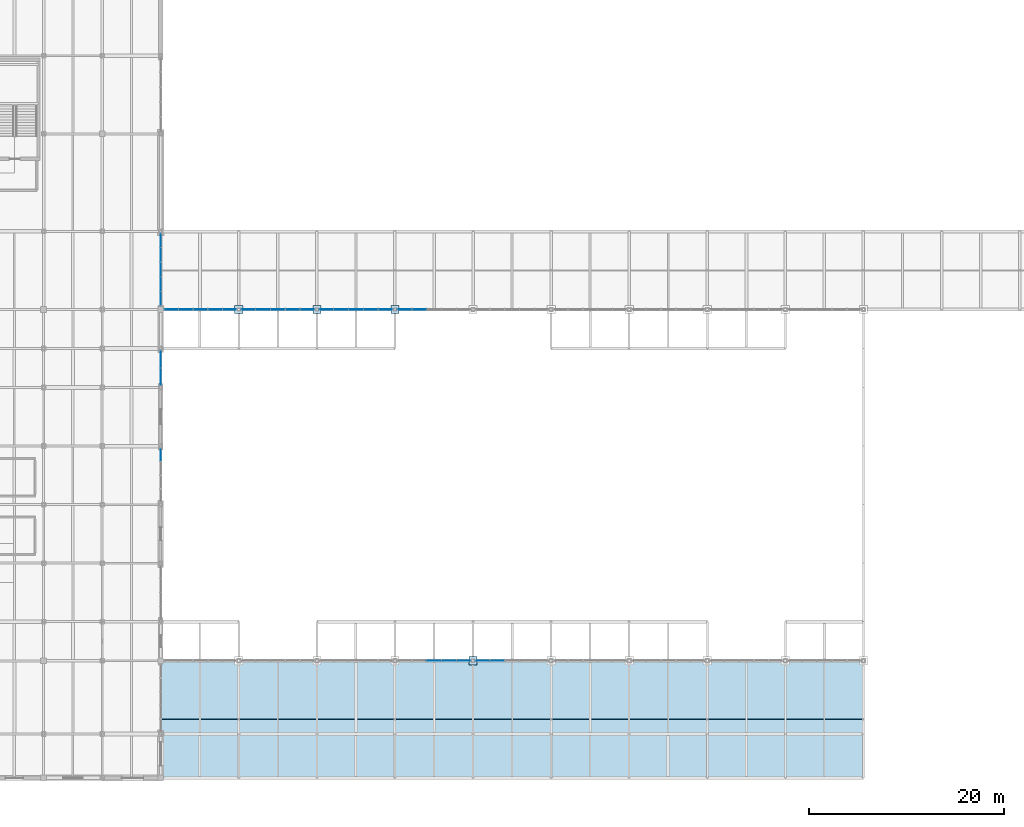
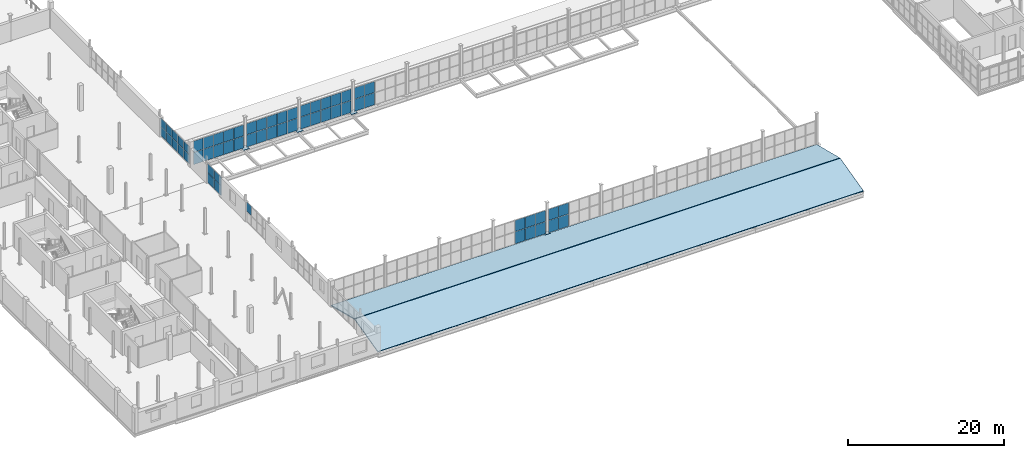
# One storey, part 75 of 96: 63 plates, 2 slabs, 9 elements without a shape of their own.
"""IFC4 building model written with IfcOpenShell, lengths in metres."""

from ifc_helpers import new_model, si_unit, direction, frame, origin, origin_2d, place, context, subcontext, project, spatial, polyline, rectangle, outline, extrude, material, layer, layer_set, type_object, element, aggregate, save


model = new_model("IFC4")

# Units and contexts
model_context = context("Model", 3, precision=1e-05, world=origin(), true_north=direction((0.0, 1.0)))
body_context = subcontext(model_context, "Body", "Model", "MODEL_VIEW")
ifc_project = project(units=[si_unit("LENGTHUNIT", "METRE"), si_unit("AREAUNIT", "SQUARE_METRE"), si_unit("VOLUMEUNIT", "CUBIC_METRE"), si_unit("PLANEANGLEUNIT", "RADIAN"), si_unit("MASSUNIT", "GRAM", prefix="KILO")], contexts=[model_context])

# Site, building, storey
site_placement = place(None, origin())
site = spatial("IfcSite", under=ifc_project, at=site_placement, CompositionType="ELEMENT")
building_placement = place(site_placement, origin())
building = spatial("IfcBuilding", under=site, at=building_placement, Name="Verrall Gate Interchange", CompositionType="ELEMENT")
storey_placement = place(building_placement, frame((0.0, 0.0, 11.39990234375)))
storey = spatial("IfcBuildingStorey", under=building, at=storey_placement, Name="L03", CompositionType="ELEMENT", Elevation=11.39990234375)

# Plates
ifc_material_1 = material(Name="Structural Steel CSA G40.21 350WT Cat 4", Category="steel")
ifc_layer_1 = layer(ifc_material_1, 0.050048828125)
ifc_layer_set_1 = layer_set([ifc_layer_1], Name="Structural Steel CSA G40.21 350WT Cat 4")
plate_type_1 = type_object("IfcPlateType", Name="BP-02 Base Plate 50", PredefinedType="USERDEFINED", material=ifc_layer_set_1)
for number, where, z_axis, x_axis, name in (
    (1, (44.0, 48.0, 0.0), (0.0, 0.0, 1.0), (1.0, 0.0, 0.0), "Concourse Column Base Plate 1512"),
    (2, (52.0, 48.0, 0.0), (0.0, 0.0, 1.0), (1.0, 0.0, 0.0), "Concourse Column Base Plate 1514"),
    (3, (60.0, 48.0, 0.0), (0.0, 0.0, 1.0), (1.0, 0.0, 0.0), "Concourse Column Base Plate 1516"),
    (4, (68.0, 12.0, 0.0), (0.0, 0.0, 1.0), (1.0, 0.0, 0.0), "Concourse Column Base Plate 1517"),
):
    element("IfcPlate", number, at=place(storey_placement, frame(where, z_axis=z_axis, x_axis=x_axis)), inside=storey, type_object=plate_type_1, Name=name, ObjectType="BASE_PLATE", PredefinedType="USERDEFINED", context=body_context, shape_type="SweptSolid", body=[
        extrude(rectangle(XDim=0.85009765625, YDim=0.85009765625, at=origin_2d()), origin(), (0.0, 0.0, 1.0), 0.050048828125),
    ])

# Curtain wall, plate
ifc_material_2 = material(Name="Thermally Broken Anodized Aluminium Curtain Wall Framing", Category="aluminium")
curtain_wall_type_1 = type_object("IfcCurtainWallType", Name="CW-31 Unitized Curtain Wall 5682x3110", PredefinedType="NOTDEFINED", material=ifc_material_2)
curtain_wall_1_placement = place(storey_placement, origin())
curtain_wall_1 = element("IfcCurtainWall", 5, at=curtain_wall_1_placement, inside=storey, type_object=curtain_wall_type_1, Name="L03 Unitized Curtain Wall CW-L03-105", PredefinedType="NOTDEFINED")
ifc_material_3 = material(Name="Triple-Glazed Low-E Argon Insulated Curtain Panel (U=1.45)", Category="glass")
ifc_layer_2 = layer(ifc_material_3, 0.030029296875)
ifc_layer_set_2 = layer_set([ifc_layer_2], Name="Triple-Glazed Low-E Argon Insulated Curtain Panel (U=1.45)")
plate_type_2 = type_object("IfcPlateType", Name="CP-01 Curtain Glazing Panel 30", PredefinedType="CURTAIN_PANEL", material=ifc_layer_set_2)
plate_1_placement = place(storey_placement, frame((36.0, 33.112060546875, 1.642822265625), z_axis=(0.0, 0.0, 1.0), x_axis=(0.0, 1.0, 0.0)))
plate_1 = element("IfcPlate", 6, at=plate_1_placement, type_object=plate_type_2, Name="CW-L03-105 Glazing Panel 4.2", PredefinedType="CURTAIN_PANEL", context=body_context, shape_type="SweptSolid", body=[
    extrude(rectangle(XDim=1.33203125, YDim=0.030029296875, at=origin_2d()), origin(), (0.0, 0.0, 1.0), 1.404296875),
])
aggregate(curtain_wall_1, [plate_1])

# Curtain wall, plates
ifc_material_4 = material(Name="Thermally Broken Anodized Aluminium Curtain Wall Framing", Category="aluminium")
curtain_wall_type_2 = type_object("IfcCurtainWallType", Name="CW-53 Unitized Curtain Wall 7631x3800", PredefinedType="NOTDEFINED", material=ifc_material_4)
curtain_wall_2_placement = place(storey_placement, origin())
curtain_wall_2 = element("IfcCurtainWall", 7, at=curtain_wall_2_placement, inside=storey, type_object=curtain_wall_type_2, Name="L03 Unitized Curtain Wall CW-L03-CLR-167", PredefinedType="NOTDEFINED")
plate_2_placement = place(storey_placement, frame((64.0, 12.0, 0.06298828125), z_axis=(0.0, 0.0, 1.0), x_axis=(1.0, 0.0, 0.0)))
plate_2 = element("IfcPlate", 8, at=plate_2_placement, type_object=plate_type_2, Name="CW-L03-CLR-167 Glazing Panel 3.1", PredefinedType="CURTAIN_PANEL", context=body_context, shape_type="SweptSolid", body=[
    extrude(rectangle(XDim=1.47509765625, YDim=0.030029296875, at=origin_2d()), origin(), (0.0, 0.0, 1.0), 1.887451171875),
])
plate_3_placement = place(storey_placement, frame((64.0, 12.0, 2.00146484375), z_axis=(0.0, 0.0, 1.0), x_axis=(1.0, 0.0, 0.0)))
plate_3 = element("IfcPlate", 9, at=plate_3_placement, type_object=plate_type_2, Name="CW-L03-CLR-167 Glazing Panel 3.2", PredefinedType="CURTAIN_PANEL", context=body_context, shape_type="SweptSolid", body=[
    extrude(rectangle(XDim=1.47509765625, YDim=0.030029296875, at=origin_2d()), origin(), (0.0, 0.0, 1.0), 1.735595703125),
])
plate_4_placement = place(storey_placement, frame((65.526123046875, 12.0, 0.06298828125), z_axis=(0.0, 0.0, 1.0), x_axis=(1.0, 0.0, 0.0)))
plate_4 = element("IfcPlate", 10, at=plate_4_placement, type_object=plate_type_2, Name="CW-L03-CLR-167 Glazing Panel 4.1", PredefinedType="CURTAIN_PANEL", context=body_context, shape_type="SweptSolid", body=[
    extrude(rectangle(XDim=1.47509765625, YDim=0.030029296875, at=origin_2d()), origin(), (0.0, 0.0, 1.0), 1.887451171875),
])
plate_5_placement = place(storey_placement, frame((65.526123046875, 12.0, 2.00146484375), z_axis=(0.0, 0.0, 1.0), x_axis=(1.0, 0.0, 0.0)))
plate_5 = element("IfcPlate", 11, at=plate_5_placement, type_object=plate_type_2, Name="CW-L03-CLR-167 Glazing Panel 4.2", PredefinedType="CURTAIN_PANEL", context=body_context, shape_type="SweptSolid", body=[
    extrude(rectangle(XDim=1.47509765625, YDim=0.030029296875, at=origin_2d()), origin(), (0.0, 0.0, 1.0), 1.735595703125),
])
plate_6_placement = place(storey_placement, frame((67.03369140625, 12.0, 0.06298828125), z_axis=(0.0, 0.0, 1.0), x_axis=(1.0, 0.0, 0.0)))
plate_6 = element("IfcPlate", 12, at=plate_6_placement, type_object=plate_type_2, Name="CW-L03-CLR-167 Glazing Panel 5.1", PredefinedType="CURTAIN_PANEL", context=body_context, shape_type="SweptSolid", body=[
    extrude(rectangle(XDim=1.437744140625, YDim=0.030029296875, at=origin_2d()), origin(), (0.0, 0.0, 1.0), 1.887451171875),
])
plate_7_placement = place(storey_placement, frame((67.03369140625, 12.0, 2.00146484375), z_axis=(0.0, 0.0, 1.0), x_axis=(1.0, 0.0, 0.0)))
plate_7 = element("IfcPlate", 13, at=plate_7_placement, type_object=plate_type_2, Name="CW-L03-CLR-167 Glazing Panel 5.2", PredefinedType="CURTAIN_PANEL", context=body_context, shape_type="SweptSolid", body=[
    extrude(rectangle(XDim=1.437744140625, YDim=0.030029296875, at=origin_2d()), origin(), (0.0, 0.0, 1.0), 1.735595703125),
])
aggregate(curtain_wall_2, [plate_2, plate_3, plate_4, plate_5, plate_6, plate_7])

curtain_wall_3_placement = place(storey_placement, origin())
curtain_wall_3 = element("IfcCurtainWall", 14, at=curtain_wall_3_placement, inside=storey, type_object=curtain_wall_type_2, Name="L03 Unitized Curtain Wall CW-L03-CLR-168", PredefinedType="NOTDEFINED")
plate_8_placement = place(storey_placement, frame((68.96630859375, 12.0, 0.06298828125), z_axis=(0.0, 0.0, 1.0), x_axis=(1.0, 0.0, 0.0)))
plate_8 = element("IfcPlate", 15, at=plate_8_placement, type_object=plate_type_2, Name="CW-L03-CLR-168 Glazing Panel 1.1", PredefinedType="CURTAIN_PANEL", context=body_context, shape_type="SweptSolid", body=[
    extrude(rectangle(XDim=1.437744140625, YDim=0.030029296875, at=origin_2d()), origin(), (0.0, 0.0, 1.0), 1.887451171875),
])
plate_9_placement = place(storey_placement, frame((68.96630859375, 12.0, 2.00146484375), z_axis=(0.0, 0.0, 1.0), x_axis=(1.0, 0.0, 0.0)))
plate_9 = element("IfcPlate", 16, at=plate_9_placement, type_object=plate_type_2, Name="CW-L03-CLR-168 Glazing Panel 1.2", PredefinedType="CURTAIN_PANEL", context=body_context, shape_type="SweptSolid", body=[
    extrude(rectangle(XDim=1.437744140625, YDim=0.030029296875, at=origin_2d()), origin(), (0.0, 0.0, 1.0), 1.735595703125),
])
plate_10_placement = place(storey_placement, frame((70.473876953125, 12.0, 0.06298828125), z_axis=(0.0, 0.0, 1.0), x_axis=(1.0, 0.0, 0.0)))
plate_10 = element("IfcPlate", 17, at=plate_10_placement, type_object=plate_type_2, Name="CW-L03-CLR-168 Glazing Panel 2.1", PredefinedType="CURTAIN_PANEL", context=body_context, shape_type="SweptSolid", body=[
    extrude(rectangle(XDim=1.47509765625, YDim=0.030029296875, at=origin_2d()), origin(), (0.0, 0.0, 1.0), 1.887451171875),
])
plate_11_placement = place(storey_placement, frame((70.473876953125, 12.0, 2.00146484375), z_axis=(0.0, 0.0, 1.0), x_axis=(1.0, 0.0, 0.0)))
plate_11 = element("IfcPlate", 18, at=plate_11_placement, type_object=plate_type_2, Name="CW-L03-CLR-168 Glazing Panel 2.2", PredefinedType="CURTAIN_PANEL", context=body_context, shape_type="SweptSolid", body=[
    extrude(rectangle(XDim=1.47509765625, YDim=0.030029296875, at=origin_2d()), origin(), (0.0, 0.0, 1.0), 1.735595703125),
])
aggregate(curtain_wall_3, [plate_8, plate_9, plate_10, plate_11])

ifc_material_5 = material(Name="Thermally Broken Anodized Aluminium Curtain Wall Framing", Category="aluminium")
curtain_wall_type_3 = type_object("IfcCurtainWallType", Name="CW-52 Unitized Curtain Wall 7484x3800", PredefinedType="NOTDEFINED", material=ifc_material_5)
curtain_wall_4_placement = place(storey_placement, origin())
curtain_wall_4 = element("IfcCurtainWall", 19, at=curtain_wall_4_placement, inside=storey, type_object=curtain_wall_type_3, Name="L03 Unitized Curtain Wall CW-L03-CLR-173", PredefinedType="NOTDEFINED")
plate_12_placement = place(storey_placement, frame((37.09912109375, 48.0, 0.06298828125), z_axis=(0.0, 0.0, 1.0), x_axis=(1.0, 0.0, 0.0)))
plate_12 = element("IfcPlate", 20, at=plate_12_placement, type_object=plate_type_2, Name="CW-L03-CLR-173 Glazing Panel 1.1", PredefinedType="CURTAIN_PANEL", context=body_context, shape_type="SweptSolid", body=[
    extrude(rectangle(XDim=1.408203125, YDim=0.030029296875, at=origin_2d()), origin(), (0.0, 0.0, 1.0), 1.887451171875),
])
plate_13_placement = place(storey_placement, frame((37.09912109375, 48.0, 2.00146484375), z_axis=(0.0, 0.0, 1.0), x_axis=(1.0, 0.0, 0.0)))
plate_13 = element("IfcPlate", 21, at=plate_13_placement, type_object=plate_type_2, Name="CW-L03-CLR-173 Glazing Panel 1.2", PredefinedType="CURTAIN_PANEL", context=body_context, shape_type="SweptSolid", body=[
    extrude(rectangle(XDim=1.408203125, YDim=0.030029296875, at=origin_2d()), origin(), (0.0, 0.0, 1.0), 1.735595703125),
])
plate_14_placement = place(storey_placement, frame((38.576904296875, 48.0, 0.06298828125), z_axis=(0.0, 0.0, 1.0), x_axis=(1.0, 0.0, 0.0)))
plate_14 = element("IfcPlate", 22, at=plate_14_placement, type_object=plate_type_2, Name="CW-L03-CLR-173 Glazing Panel 2.1", PredefinedType="CURTAIN_PANEL", context=body_context, shape_type="SweptSolid", body=[
    extrude(rectangle(XDim=1.44580078125, YDim=0.030029296875, at=origin_2d()), origin(), (0.0, 0.0, 1.0), 1.887451171875),
])
plate_15_placement = place(storey_placement, frame((38.576904296875, 48.0, 2.00146484375), z_axis=(0.0, 0.0, 1.0), x_axis=(1.0, 0.0, 0.0)))
plate_15 = element("IfcPlate", 23, at=plate_15_placement, type_object=plate_type_2, Name="CW-L03-CLR-173 Glazing Panel 2.2", PredefinedType="CURTAIN_PANEL", context=body_context, shape_type="SweptSolid", body=[
    extrude(rectangle(XDim=1.44580078125, YDim=0.030029296875, at=origin_2d()), origin(), (0.0, 0.0, 1.0), 1.735595703125),
])
plate_16_placement = place(storey_placement, frame((40.07373046875, 48.0, 0.06298828125), z_axis=(0.0, 0.0, 1.0), x_axis=(1.0, 0.0, 0.0)))
plate_16 = element("IfcPlate", 24, at=plate_16_placement, type_object=plate_type_2, Name="CW-L03-CLR-173 Glazing Panel 3.1", PredefinedType="CURTAIN_PANEL", context=body_context, shape_type="SweptSolid", body=[
    extrude(rectangle(XDim=1.44580078125, YDim=0.030029296875, at=origin_2d()), origin(), (0.0, 0.0, 1.0), 1.887451171875),
])
plate_17_placement = place(storey_placement, frame((40.07373046875, 48.0, 2.00146484375), z_axis=(0.0, 0.0, 1.0), x_axis=(1.0, 0.0, 0.0)))
plate_17 = element("IfcPlate", 25, at=plate_17_placement, type_object=plate_type_2, Name="CW-L03-CLR-173 Glazing Panel 3.2", PredefinedType="CURTAIN_PANEL", context=body_context, shape_type="SweptSolid", body=[
    extrude(rectangle(XDim=1.44580078125, YDim=0.030029296875, at=origin_2d()), origin(), (0.0, 0.0, 1.0), 1.735595703125),
])
plate_18_placement = place(storey_placement, frame((41.570556640625, 48.0, 0.06298828125), z_axis=(0.0, 0.0, 1.0), x_axis=(1.0, 0.0, 0.0)))
plate_18 = element("IfcPlate", 26, at=plate_18_placement, type_object=plate_type_2, Name="CW-L03-CLR-173 Glazing Panel 4.1", PredefinedType="CURTAIN_PANEL", context=body_context, shape_type="SweptSolid", body=[
    extrude(rectangle(XDim=1.44580078125, YDim=0.030029296875, at=origin_2d()), origin(), (0.0, 0.0, 1.0), 1.887451171875),
])
plate_19_placement = place(storey_placement, frame((41.570556640625, 48.0, 2.00146484375), z_axis=(0.0, 0.0, 1.0), x_axis=(1.0, 0.0, 0.0)))
plate_19 = element("IfcPlate", 27, at=plate_19_placement, type_object=plate_type_2, Name="CW-L03-CLR-173 Glazing Panel 4.2", PredefinedType="CURTAIN_PANEL", context=body_context, shape_type="SweptSolid", body=[
    extrude(rectangle(XDim=1.44580078125, YDim=0.030029296875, at=origin_2d()), origin(), (0.0, 0.0, 1.0), 1.735595703125),
])
plate_20_placement = place(storey_placement, frame((43.04833984375, 48.0, 0.06298828125), z_axis=(0.0, 0.0, 1.0), x_axis=(1.0, 0.0, 0.0)))
plate_20 = element("IfcPlate", 28, at=plate_20_placement, type_object=plate_type_2, Name="CW-L03-CLR-173 Glazing Panel 5.1", PredefinedType="CURTAIN_PANEL", context=body_context, shape_type="SweptSolid", body=[
    extrude(rectangle(XDim=1.408203125, YDim=0.030029296875, at=origin_2d()), origin(), (0.0, 0.0, 1.0), 1.887451171875),
])
plate_21_placement = place(storey_placement, frame((43.04833984375, 48.0, 2.00146484375), z_axis=(0.0, 0.0, 1.0), x_axis=(1.0, 0.0, 0.0)))
plate_21 = element("IfcPlate", 29, at=plate_21_placement, type_object=plate_type_2, Name="CW-L03-CLR-173 Glazing Panel 5.2", PredefinedType="CURTAIN_PANEL", context=body_context, shape_type="SweptSolid", body=[
    extrude(rectangle(XDim=1.408203125, YDim=0.030029296875, at=origin_2d()), origin(), (0.0, 0.0, 1.0), 1.735595703125),
])
aggregate(curtain_wall_4, [plate_12, plate_13, plate_14, plate_15, plate_16, plate_17, plate_18, plate_19, plate_20, plate_21])

curtain_wall_5_placement = place(storey_placement, origin())
curtain_wall_5 = element("IfcCurtainWall", 30, at=curtain_wall_5_placement, inside=storey, type_object=curtain_wall_type_2, Name="L03 Unitized Curtain Wall CW-L03-CLR-174", PredefinedType="NOTDEFINED")
plate_22_placement = place(storey_placement, frame((44.96630859375, 48.0, 0.06298828125), z_axis=(0.0, 0.0, 1.0), x_axis=(1.0, 0.0, 0.0)))
plate_22 = element("IfcPlate", 31, at=plate_22_placement, type_object=plate_type_2, Name="CW-L03-CLR-174 Glazing Panel 1.1", PredefinedType="CURTAIN_PANEL", context=body_context, shape_type="SweptSolid", body=[
    extrude(rectangle(XDim=1.437744140625, YDim=0.030029296875, at=origin_2d()), origin(), (0.0, 0.0, 1.0), 1.887451171875),
])
plate_23_placement = place(storey_placement, frame((44.96630859375, 48.0, 2.00146484375), z_axis=(0.0, 0.0, 1.0), x_axis=(1.0, 0.0, 0.0)))
plate_23 = element("IfcPlate", 32, at=plate_23_placement, type_object=plate_type_2, Name="CW-L03-CLR-174 Glazing Panel 1.2", PredefinedType="CURTAIN_PANEL", context=body_context, shape_type="SweptSolid", body=[
    extrude(rectangle(XDim=1.437744140625, YDim=0.030029296875, at=origin_2d()), origin(), (0.0, 0.0, 1.0), 1.735595703125),
])
plate_24_placement = place(storey_placement, frame((46.473876953125, 48.0, 0.06298828125), z_axis=(0.0, 0.0, 1.0), x_axis=(1.0, 0.0, 0.0)))
plate_24 = element("IfcPlate", 33, at=plate_24_placement, type_object=plate_type_2, Name="CW-L03-CLR-174 Glazing Panel 2.1", PredefinedType="CURTAIN_PANEL", context=body_context, shape_type="SweptSolid", body=[
    extrude(rectangle(XDim=1.47509765625, YDim=0.030029296875, at=origin_2d()), origin(), (0.0, 0.0, 1.0), 1.887451171875),
])
plate_25_placement = place(storey_placement, frame((46.473876953125, 48.0, 2.00146484375), z_axis=(0.0, 0.0, 1.0), x_axis=(1.0, 0.0, 0.0)))
plate_25 = element("IfcPlate", 34, at=plate_25_placement, type_object=plate_type_2, Name="CW-L03-CLR-174 Glazing Panel 2.2", PredefinedType="CURTAIN_PANEL", context=body_context, shape_type="SweptSolid", body=[
    extrude(rectangle(XDim=1.47509765625, YDim=0.030029296875, at=origin_2d()), origin(), (0.0, 0.0, 1.0), 1.735595703125),
])
plate_26_placement = place(storey_placement, frame((48.0, 48.0, 0.06298828125), z_axis=(0.0, 0.0, 1.0), x_axis=(1.0, 0.0, 0.0)))
plate_26 = element("IfcPlate", 35, at=plate_26_placement, type_object=plate_type_2, Name="CW-L03-CLR-174 Glazing Panel 3.1", PredefinedType="CURTAIN_PANEL", context=body_context, shape_type="SweptSolid", body=[
    extrude(rectangle(XDim=1.47509765625, YDim=0.030029296875, at=origin_2d()), origin(), (0.0, 0.0, 1.0), 1.887451171875),
])
plate_27_placement = place(storey_placement, frame((48.0, 48.0, 2.00146484375), z_axis=(0.0, 0.0, 1.0), x_axis=(1.0, 0.0, 0.0)))
plate_27 = element("IfcPlate", 36, at=plate_27_placement, type_object=plate_type_2, Name="CW-L03-CLR-174 Glazing Panel 3.2", PredefinedType="CURTAIN_PANEL", context=body_context, shape_type="SweptSolid", body=[
    extrude(rectangle(XDim=1.47509765625, YDim=0.030029296875, at=origin_2d()), origin(), (0.0, 0.0, 1.0), 1.735595703125),
])
plate_28_placement = place(storey_placement, frame((49.526123046875, 48.0, 0.06298828125), z_axis=(0.0, 0.0, 1.0), x_axis=(1.0, 0.0, 0.0)))
plate_28 = element("IfcPlate", 37, at=plate_28_placement, type_object=plate_type_2, Name="CW-L03-CLR-174 Glazing Panel 4.1", PredefinedType="CURTAIN_PANEL", context=body_context, shape_type="SweptSolid", body=[
    extrude(rectangle(XDim=1.47509765625, YDim=0.030029296875, at=origin_2d()), origin(), (0.0, 0.0, 1.0), 1.887451171875),
])
plate_29_placement = place(storey_placement, frame((49.526123046875, 48.0, 2.00146484375), z_axis=(0.0, 0.0, 1.0), x_axis=(1.0, 0.0, 0.0)))
plate_29 = element("IfcPlate", 38, at=plate_29_placement, type_object=plate_type_2, Name="CW-L03-CLR-174 Glazing Panel 4.2", PredefinedType="CURTAIN_PANEL", context=body_context, shape_type="SweptSolid", body=[
    extrude(rectangle(XDim=1.47509765625, YDim=0.030029296875, at=origin_2d()), origin(), (0.0, 0.0, 1.0), 1.735595703125),
])
plate_30_placement = place(storey_placement, frame((51.03369140625, 48.0, 0.06298828125), z_axis=(0.0, 0.0, 1.0), x_axis=(1.0, 0.0, 0.0)))
plate_30 = element("IfcPlate", 39, at=plate_30_placement, type_object=plate_type_2, Name="CW-L03-CLR-174 Glazing Panel 5.1", PredefinedType="CURTAIN_PANEL", context=body_context, shape_type="SweptSolid", body=[
    extrude(rectangle(XDim=1.437744140625, YDim=0.030029296875, at=origin_2d()), origin(), (0.0, 0.0, 1.0), 1.887451171875),
])
plate_31_placement = place(storey_placement, frame((51.03369140625, 48.0, 2.00146484375), z_axis=(0.0, 0.0, 1.0), x_axis=(1.0, 0.0, 0.0)))
plate_31 = element("IfcPlate", 40, at=plate_31_placement, type_object=plate_type_2, Name="CW-L03-CLR-174 Glazing Panel 5.2", PredefinedType="CURTAIN_PANEL", context=body_context, shape_type="SweptSolid", body=[
    extrude(rectangle(XDim=1.437744140625, YDim=0.030029296875, at=origin_2d()), origin(), (0.0, 0.0, 1.0), 1.735595703125),
])
aggregate(curtain_wall_5, [plate_22, plate_23, plate_24, plate_25, plate_26, plate_27, plate_28, plate_29, plate_30, plate_31])

curtain_wall_6_placement = place(storey_placement, origin())
curtain_wall_6 = element("IfcCurtainWall", 41, at=curtain_wall_6_placement, inside=storey, type_object=curtain_wall_type_2, Name="L03 Unitized Curtain Wall CW-L03-CLR-175", PredefinedType="NOTDEFINED")
plate_32_placement = place(storey_placement, frame((52.96630859375, 48.0, 0.06298828125), z_axis=(0.0, 0.0, 1.0), x_axis=(1.0, 0.0, 0.0)))
plate_32 = element("IfcPlate", 42, at=plate_32_placement, type_object=plate_type_2, Name="CW-L03-CLR-175 Glazing Panel 1.1", PredefinedType="CURTAIN_PANEL", context=body_context, shape_type="SweptSolid", body=[
    extrude(rectangle(XDim=1.437744140625, YDim=0.030029296875, at=origin_2d()), origin(), (0.0, 0.0, 1.0), 1.887451171875),
])
plate_33_placement = place(storey_placement, frame((52.96630859375, 48.0, 2.00146484375), z_axis=(0.0, 0.0, 1.0), x_axis=(1.0, 0.0, 0.0)))
plate_33 = element("IfcPlate", 43, at=plate_33_placement, type_object=plate_type_2, Name="CW-L03-CLR-175 Glazing Panel 1.2", PredefinedType="CURTAIN_PANEL", context=body_context, shape_type="SweptSolid", body=[
    extrude(rectangle(XDim=1.437744140625, YDim=0.030029296875, at=origin_2d()), origin(), (0.0, 0.0, 1.0), 1.735595703125),
])
plate_34_placement = place(storey_placement, frame((54.473876953125, 48.0, 0.06298828125), z_axis=(0.0, 0.0, 1.0), x_axis=(1.0, 0.0, 0.0)))
plate_34 = element("IfcPlate", 44, at=plate_34_placement, type_object=plate_type_2, Name="CW-L03-CLR-175 Glazing Panel 2.1", PredefinedType="CURTAIN_PANEL", context=body_context, shape_type="SweptSolid", body=[
    extrude(rectangle(XDim=1.47509765625, YDim=0.030029296875, at=origin_2d()), origin(), (0.0, 0.0, 1.0), 1.887451171875),
])
plate_35_placement = place(storey_placement, frame((54.473876953125, 48.0, 2.00146484375), z_axis=(0.0, 0.0, 1.0), x_axis=(1.0, 0.0, 0.0)))
plate_35 = element("IfcPlate", 45, at=plate_35_placement, type_object=plate_type_2, Name="CW-L03-CLR-175 Glazing Panel 2.2", PredefinedType="CURTAIN_PANEL", context=body_context, shape_type="SweptSolid", body=[
    extrude(rectangle(XDim=1.47509765625, YDim=0.030029296875, at=origin_2d()), origin(), (0.0, 0.0, 1.0), 1.735595703125),
])
plate_36_placement = place(storey_placement, frame((56.0, 48.0, 0.06298828125), z_axis=(0.0, 0.0, 1.0), x_axis=(1.0, 0.0, 0.0)))
plate_36 = element("IfcPlate", 46, at=plate_36_placement, type_object=plate_type_2, Name="CW-L03-CLR-175 Glazing Panel 3.1", PredefinedType="CURTAIN_PANEL", context=body_context, shape_type="SweptSolid", body=[
    extrude(rectangle(XDim=1.47509765625, YDim=0.030029296875, at=origin_2d()), origin(), (0.0, 0.0, 1.0), 1.887451171875),
])
plate_37_placement = place(storey_placement, frame((56.0, 48.0, 2.00146484375), z_axis=(0.0, 0.0, 1.0), x_axis=(1.0, 0.0, 0.0)))
plate_37 = element("IfcPlate", 47, at=plate_37_placement, type_object=plate_type_2, Name="CW-L03-CLR-175 Glazing Panel 3.2", PredefinedType="CURTAIN_PANEL", context=body_context, shape_type="SweptSolid", body=[
    extrude(rectangle(XDim=1.47509765625, YDim=0.030029296875, at=origin_2d()), origin(), (0.0, 0.0, 1.0), 1.735595703125),
])
plate_38_placement = place(storey_placement, frame((57.526123046875, 48.0, 0.06298828125), z_axis=(0.0, 0.0, 1.0), x_axis=(1.0, 0.0, 0.0)))
plate_38 = element("IfcPlate", 48, at=plate_38_placement, type_object=plate_type_2, Name="CW-L03-CLR-175 Glazing Panel 4.1", PredefinedType="CURTAIN_PANEL", context=body_context, shape_type="SweptSolid", body=[
    extrude(rectangle(XDim=1.47509765625, YDim=0.030029296875, at=origin_2d()), origin(), (0.0, 0.0, 1.0), 1.887451171875),
])
plate_39_placement = place(storey_placement, frame((57.526123046875, 48.0, 2.00146484375), z_axis=(0.0, 0.0, 1.0), x_axis=(1.0, 0.0, 0.0)))
plate_39 = element("IfcPlate", 49, at=plate_39_placement, type_object=plate_type_2, Name="CW-L03-CLR-175 Glazing Panel 4.2", PredefinedType="CURTAIN_PANEL", context=body_context, shape_type="SweptSolid", body=[
    extrude(rectangle(XDim=1.47509765625, YDim=0.030029296875, at=origin_2d()), origin(), (0.0, 0.0, 1.0), 1.735595703125),
])
plate_40_placement = place(storey_placement, frame((59.03369140625, 48.0, 0.06298828125), z_axis=(0.0, 0.0, 1.0), x_axis=(1.0, 0.0, 0.0)))
plate_40 = element("IfcPlate", 50, at=plate_40_placement, type_object=plate_type_2, Name="CW-L03-CLR-175 Glazing Panel 5.1", PredefinedType="CURTAIN_PANEL", context=body_context, shape_type="SweptSolid", body=[
    extrude(rectangle(XDim=1.437744140625, YDim=0.030029296875, at=origin_2d()), origin(), (0.0, 0.0, 1.0), 1.887451171875),
])
plate_41_placement = place(storey_placement, frame((59.03369140625, 48.0, 2.00146484375), z_axis=(0.0, 0.0, 1.0), x_axis=(1.0, 0.0, 0.0)))
plate_41 = element("IfcPlate", 51, at=plate_41_placement, type_object=plate_type_2, Name="CW-L03-CLR-175 Glazing Panel 5.2", PredefinedType="CURTAIN_PANEL", context=body_context, shape_type="SweptSolid", body=[
    extrude(rectangle(XDim=1.437744140625, YDim=0.030029296875, at=origin_2d()), origin(), (0.0, 0.0, 1.0), 1.735595703125),
])
aggregate(curtain_wall_6, [plate_32, plate_33, plate_34, plate_35, plate_36, plate_37, plate_38, plate_39, plate_40, plate_41])

curtain_wall_7_placement = place(storey_placement, origin())
curtain_wall_7 = element("IfcCurtainWall", 52, at=curtain_wall_7_placement, inside=storey, type_object=curtain_wall_type_2, Name="L03 Unitized Curtain Wall CW-L03-CLR-176", PredefinedType="NOTDEFINED")
plate_42_placement = place(storey_placement, frame((60.96630859375, 48.0, 0.06298828125), z_axis=(0.0, 0.0, 1.0), x_axis=(1.0, 0.0, 0.0)))
plate_42 = element("IfcPlate", 53, at=plate_42_placement, type_object=plate_type_2, Name="CW-L03-CLR-176 Glazing Panel 1.1", PredefinedType="CURTAIN_PANEL", context=body_context, shape_type="SweptSolid", body=[
    extrude(rectangle(XDim=1.437744140625, YDim=0.030029296875, at=origin_2d()), origin(), (0.0, 0.0, 1.0), 1.887451171875),
])
plate_43_placement = place(storey_placement, frame((60.96630859375, 48.0, 2.00146484375), z_axis=(0.0, 0.0, 1.0), x_axis=(1.0, 0.0, 0.0)))
plate_43 = element("IfcPlate", 54, at=plate_43_placement, type_object=plate_type_2, Name="CW-L03-CLR-176 Glazing Panel 1.2", PredefinedType="CURTAIN_PANEL", context=body_context, shape_type="SweptSolid", body=[
    extrude(rectangle(XDim=1.437744140625, YDim=0.030029296875, at=origin_2d()), origin(), (0.0, 0.0, 1.0), 1.735595703125),
])
plate_44_placement = place(storey_placement, frame((62.473876953125, 48.0, 0.06298828125), z_axis=(0.0, 0.0, 1.0), x_axis=(1.0, 0.0, 0.0)))
plate_44 = element("IfcPlate", 55, at=plate_44_placement, type_object=plate_type_2, Name="CW-L03-CLR-176 Glazing Panel 2.1", PredefinedType="CURTAIN_PANEL", context=body_context, shape_type="SweptSolid", body=[
    extrude(rectangle(XDim=1.47509765625, YDim=0.030029296875, at=origin_2d()), origin(), (0.0, 0.0, 1.0), 1.887451171875),
])
plate_45_placement = place(storey_placement, frame((62.473876953125, 48.0, 2.00146484375), z_axis=(0.0, 0.0, 1.0), x_axis=(1.0, 0.0, 0.0)))
plate_45 = element("IfcPlate", 56, at=plate_45_placement, type_object=plate_type_2, Name="CW-L03-CLR-176 Glazing Panel 2.2", PredefinedType="CURTAIN_PANEL", context=body_context, shape_type="SweptSolid", body=[
    extrude(rectangle(XDim=1.47509765625, YDim=0.030029296875, at=origin_2d()), origin(), (0.0, 0.0, 1.0), 1.735595703125),
])
aggregate(curtain_wall_7, [plate_42, plate_43, plate_44, plate_45])

ifc_material_6 = material(Name="Thermally Broken Anodized Aluminium Curtain Wall Framing", Category="aluminium")
curtain_wall_type_4 = type_object("IfcCurtainWallType", Name="CW-32 Unitized Curtain Wall 3682x3030", PredefinedType="NOTDEFINED", material=ifc_material_6)
curtain_wall_8_placement = place(storey_placement, origin())
curtain_wall_8 = element("IfcCurtainWall", 57, at=curtain_wall_8_placement, inside=storey, type_object=curtain_wall_type_4, Name="L03 Unitized Curtain Wall CW-L03-106", PredefinedType="NOTDEFINED")
ifc_material_7 = material(Name="Triple-Glazed Low-E Argon Insulated Curtain Panel (U=1.45)", Category="glass")
ifc_layer_3 = layer(ifc_material_7, 0.0400390625)
ifc_layer_set_3 = layer_set([ifc_layer_3], Name="Triple-Glazed Low-E Argon Insulated Curtain Panel (U=1.45)")
plate_type_3 = type_object("IfcPlateType", Name="CP-02 Curtain Glazing Panel 40", PredefinedType="CURTAIN_PANEL", material=ifc_layer_set_3)
plate_46_placement = place(storey_placement, frame((36.0, 41.095703125, 0.0546875), z_axis=(0.0, 0.0, 1.0), x_axis=(0.0, 1.0, 0.0)))
plate_46 = element("IfcPlate", 58, at=plate_46_placement, type_object=plate_type_3, Name="CW-L03-106 Glazing Panel 1.1", PredefinedType="CURTAIN_PANEL", context=body_context, shape_type="SweptSolid", body=[
    extrude(rectangle(XDim=1.764404296875, YDim=0.0400390625, at=origin_2d()), origin(), (0.0, 0.0, 1.0), 1.498779296875),
])
plate_47_placement = place(storey_placement, frame((36.0, 41.095703125, 1.59765625), z_axis=(0.0, 0.0, 1.0), x_axis=(0.0, 1.0, 0.0)))
plate_47 = element("IfcPlate", 59, at=plate_47_placement, type_object=plate_type_3, Name="CW-L03-106 Glazing Panel 1.2", PredefinedType="CURTAIN_PANEL", context=body_context, shape_type="SweptSolid", body=[
    extrude(rectangle(XDim=1.764404296875, YDim=0.0400390625, at=origin_2d()), origin(), (0.0, 0.0, 1.0), 1.377685546875),
])
plate_48_placement = place(storey_placement, frame((36.0, 42.904296875, 0.0546875), z_axis=(0.0, 0.0, 1.0), x_axis=(0.0, 1.0, 0.0)))
plate_48 = element("IfcPlate", 60, at=plate_48_placement, type_object=plate_type_3, Name="CW-L03-106 Glazing Panel 2.1", PredefinedType="CURTAIN_PANEL", context=body_context, shape_type="SweptSolid", body=[
    extrude(rectangle(XDim=1.764404296875, YDim=0.0400390625, at=origin_2d()), origin(), (0.0, 0.0, 1.0), 1.498779296875),
])
plate_49_placement = place(storey_placement, frame((36.0, 42.904296875, 1.59765625), z_axis=(0.0, 0.0, 1.0), x_axis=(0.0, 1.0, 0.0)))
plate_49 = element("IfcPlate", 61, at=plate_49_placement, type_object=plate_type_3, Name="CW-L03-106 Glazing Panel 2.2", PredefinedType="CURTAIN_PANEL", context=body_context, shape_type="SweptSolid", body=[
    extrude(rectangle(XDim=1.764404296875, YDim=0.0400390625, at=origin_2d()), origin(), (0.0, 0.0, 1.0), 1.377685546875),
])
aggregate(curtain_wall_8, [plate_46, plate_47, plate_48, plate_49])

ifc_material_8 = material(Name="Thermally Broken Anodized Aluminium Curtain Wall Framing", Category="aluminium")
curtain_wall_type_5 = type_object("IfcCurtainWallType", Name="CW-33 Unitized Curtain Wall 7509x2880", PredefinedType="NOTDEFINED", material=ifc_material_8)
curtain_wall_9_placement = place(storey_placement, origin())
curtain_wall_9 = element("IfcCurtainWall", 62, at=curtain_wall_9_placement, inside=storey, type_object=curtain_wall_type_5, Name="L03 Unitized Curtain Wall CW-L03-107", PredefinedType="NOTDEFINED")
plate_50_placement = place(storey_placement, frame((36.0, 49.1015625, 0.06298828125), z_axis=(0.0, 0.0, 1.0), x_axis=(0.0, 1.0, 0.0)))
plate_50 = element("IfcPlate", 63, at=plate_50_placement, type_object=plate_type_3, Name="CW-L03-107 Glazing Panel 1.1", PredefinedType="CURTAIN_PANEL", context=body_context, shape_type="SweptSolid", body=[
    extrude(rectangle(XDim=1.413330078125, YDim=0.0400390625, at=origin_2d()), origin(), (0.0, 0.0, 1.0), 1.4091796875),
])
plate_51_placement = place(storey_placement, frame((36.0, 49.1015625, 1.523193359375), z_axis=(0.0, 0.0, 1.0), x_axis=(0.0, 1.0, 0.0)))
plate_51 = element("IfcPlate", 64, at=plate_51_placement, type_object=plate_type_3, Name="CW-L03-107 Glazing Panel 1.2", PredefinedType="CURTAIN_PANEL", context=body_context, shape_type="SweptSolid", body=[
    extrude(rectangle(XDim=1.413330078125, YDim=0.0400390625, at=origin_2d()), origin(), (0.0, 0.0, 1.0), 1.2939453125),
])
plate_52_placement = place(storey_placement, frame((36.0, 50.584716796875, 0.06298828125), z_axis=(0.0, 0.0, 1.0), x_axis=(0.0, 1.0, 0.0)))
plate_52 = element("IfcPlate", 65, at=plate_52_placement, type_object=plate_type_3, Name="CW-L03-107 Glazing Panel 2.1", PredefinedType="CURTAIN_PANEL", context=body_context, shape_type="SweptSolid", body=[
    extrude(rectangle(XDim=1.45068359375, YDim=0.0400390625, at=origin_2d()), origin(), (0.0, 0.0, 1.0), 1.4091796875),
])
plate_53_placement = place(storey_placement, frame((36.0, 50.584716796875, 1.523193359375), z_axis=(0.0, 0.0, 1.0), x_axis=(0.0, 1.0, 0.0)))
plate_53 = element("IfcPlate", 66, at=plate_53_placement, type_object=plate_type_3, Name="CW-L03-107 Glazing Panel 2.2", PredefinedType="CURTAIN_PANEL", context=body_context, shape_type="SweptSolid", body=[
    extrude(rectangle(XDim=1.45068359375, YDim=0.0400390625, at=origin_2d()), origin(), (0.0, 0.0, 1.0), 1.2939453125),
])
plate_54_placement = place(storey_placement, frame((36.0, 52.08642578125, 0.06298828125), z_axis=(0.0, 0.0, 1.0), x_axis=(0.0, 1.0, 0.0)))
plate_54 = element("IfcPlate", 67, at=plate_54_placement, type_object=plate_type_3, Name="CW-L03-107 Glazing Panel 3.1", PredefinedType="CURTAIN_PANEL", context=body_context, shape_type="SweptSolid", body=[
    extrude(rectangle(XDim=1.45068359375, YDim=0.0400390625, at=origin_2d()), origin(), (0.0, 0.0, 1.0), 1.4091796875),
])
plate_55_placement = place(storey_placement, frame((36.0, 52.08642578125, 1.523193359375), z_axis=(0.0, 0.0, 1.0), x_axis=(0.0, 1.0, 0.0)))
plate_55 = element("IfcPlate", 68, at=plate_55_placement, type_object=plate_type_3, Name="CW-L03-107 Glazing Panel 3.2", PredefinedType="CURTAIN_PANEL", context=body_context, shape_type="SweptSolid", body=[
    extrude(rectangle(XDim=1.45068359375, YDim=0.0400390625, at=origin_2d()), origin(), (0.0, 0.0, 1.0), 1.2939453125),
])
plate_56_placement = place(storey_placement, frame((36.0, 53.58837890625, 0.06298828125), z_axis=(0.0, 0.0, 1.0), x_axis=(0.0, 1.0, 0.0)))
plate_56 = element("IfcPlate", 69, at=plate_56_placement, type_object=plate_type_3, Name="CW-L03-107 Glazing Panel 4.1", PredefinedType="CURTAIN_PANEL", context=body_context, shape_type="SweptSolid", body=[
    extrude(rectangle(XDim=1.45068359375, YDim=0.0400390625, at=origin_2d()), origin(), (0.0, 0.0, 1.0), 1.4091796875),
])
plate_57_placement = place(storey_placement, frame((36.0, 53.58837890625, 1.523193359375), z_axis=(0.0, 0.0, 1.0), x_axis=(0.0, 1.0, 0.0)))
plate_57 = element("IfcPlate", 70, at=plate_57_placement, type_object=plate_type_3, Name="CW-L03-107 Glazing Panel 4.2", PredefinedType="CURTAIN_PANEL", context=body_context, shape_type="SweptSolid", body=[
    extrude(rectangle(XDim=1.45068359375, YDim=0.0400390625, at=origin_2d()), origin(), (0.0, 0.0, 1.0), 1.2939453125),
])
plate_58_placement = place(storey_placement, frame((36.0, 55.0712890625, 0.06298828125), z_axis=(0.0, 0.0, 1.0), x_axis=(0.0, 1.0, 0.0)))
plate_58 = element("IfcPlate", 71, at=plate_58_placement, type_object=plate_type_3, Name="CW-L03-107 Glazing Panel 5.1", PredefinedType="CURTAIN_PANEL", context=body_context, shape_type="SweptSolid", body=[
    extrude(rectangle(XDim=1.413330078125, YDim=0.0400390625, at=origin_2d()), origin(), (0.0, 0.0, 1.0), 1.4091796875),
])
plate_59_placement = place(storey_placement, frame((36.0, 55.0712890625, 1.523193359375), z_axis=(0.0, 0.0, 1.0), x_axis=(0.0, 1.0, 0.0)))
plate_59 = element("IfcPlate", 72, at=plate_59_placement, type_object=plate_type_3, Name="CW-L03-107 Glazing Panel 5.2", PredefinedType="CURTAIN_PANEL", context=body_context, shape_type="SweptSolid", body=[
    extrude(rectangle(XDim=1.413330078125, YDim=0.0400390625, at=origin_2d()), origin(), (0.0, 0.0, 1.0), 1.2939453125),
])
aggregate(curtain_wall_9, [plate_50, plate_51, plate_52, plate_53, plate_54, plate_55, plate_56, plate_57, plate_58, plate_59])

# Slabs
ifc_material_9 = material(Name="Concrete CSA A23.1 40 MPa (Class C-1)", Category="concrete")
ifc_layer_4 = layer(ifc_material_9, 0.159912109375)
ifc_layer_set_4 = layer_set([ifc_layer_4], Name="Concrete CSA A23.1 40 MPa (Class C-1)")
slab_type = type_object("IfcSlabType", Name="RS-03 Roof Slab 160", PredefinedType="ROOF", material=ifc_layer_set_4)
for number, where, z_axis, x_axis, name in (
    (73, (36.0, 0.0, 0.0), (0.0, -0.242535625036, 0.970142500145), (1.0, 0.0, 0.0), "Pitched Standing-Seam Roof Slab RF-PORT-S"),
    (74, (36.0, 6.0400390625, 1.489990234375), (0.0, 0.242535625036, 0.970142500145), (1.0, 0.0, 0.0), "Pitched Standing-Seam Roof Slab RF-PORT-N"),
):
    element("IfcSlab", number, at=place(storey_placement, frame(where, z_axis=z_axis, x_axis=x_axis)), inside=storey, type_object=slab_type, Name=name, PredefinedType="ROOF", context=body_context, shape_type="SweptSolid", body=[
        extrude(outline(polyline([(0.0, 0.0), (72.0, 0.0), (72.0, 6.143387117466939), (0.0, 6.143387117466939), (0.0, 0.0)])), origin(), (0.0, 0.0, -1.0), 0.159912109375),
    ])

save(model, "model.ifc")
